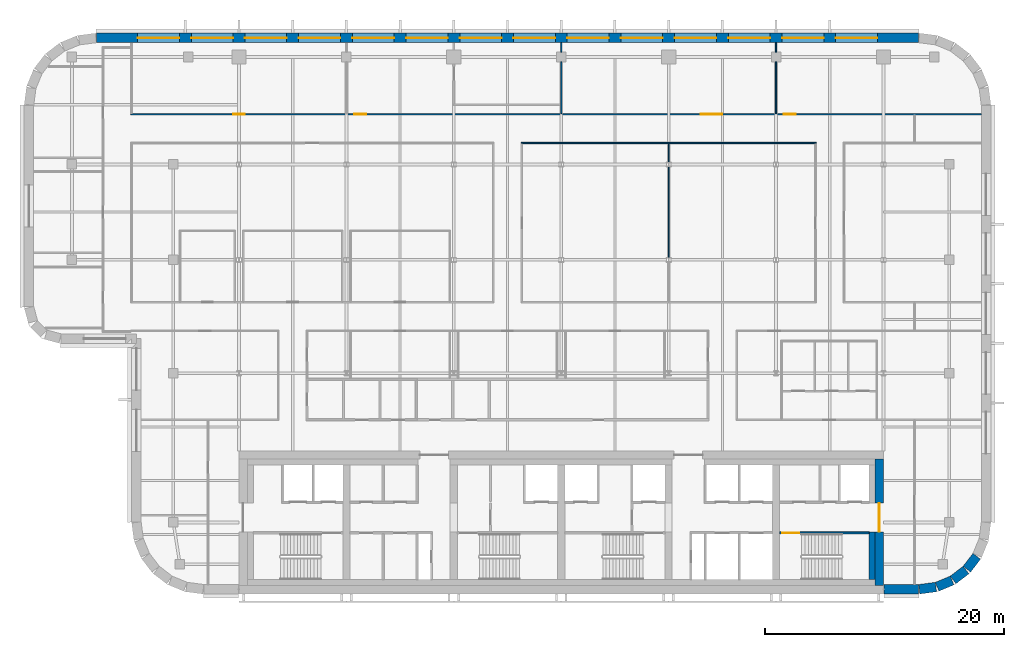
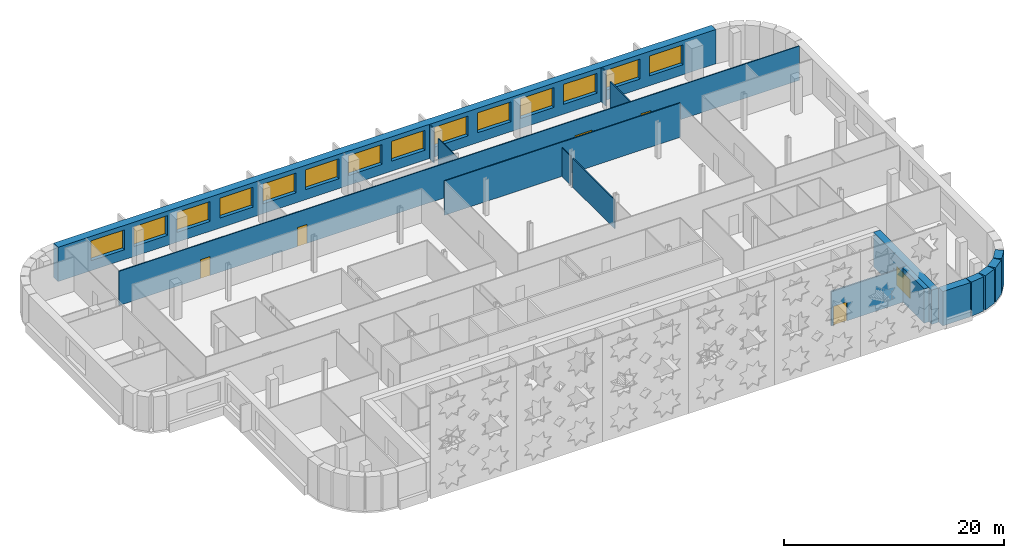
# One storey, part 11 of 18: 17 walls, 14 windows, 6 doors, 20 openings.
"""IFC4 building model written with IfcOpenShell, lengths in metres."""

from ifc_helpers import new_model, si_unit, direction, frame, frame_2d, origin, place, context, subcontext, project, spatial, rectangle, extrude, material, layer, layer_set, type_object, element, fill, save


model = new_model("IFC4")

# Units and contexts
model_context = context("Model", 3, precision=1e-05, world=origin(), true_north=direction((0.0, 1.0)))
body_context = subcontext(model_context, "Body", "Model", "MODEL_VIEW")
ifc_project = project(units=[si_unit("LENGTHUNIT", "METRE"), si_unit("AREAUNIT", "SQUARE_METRE"), si_unit("VOLUMEUNIT", "CUBIC_METRE"), si_unit("PLANEANGLEUNIT", "RADIAN"), si_unit("MASSUNIT", "GRAM", prefix="KILO")], contexts=[model_context])

# Site, building, storey
site_placement = place(None, origin())
site = spatial("IfcSite", under=ifc_project, at=site_placement, CompositionType="ELEMENT")
building_placement = place(site_placement, origin())
building = spatial("IfcBuilding", under=site, at=building_placement, Name="Zellij Exchange Tower", CompositionType="ELEMENT")
storey_placement = place(building_placement, frame((0.0, 0.0, 228.5)))
storey = spatial("IfcBuildingStorey", under=building, at=storey_placement, Name="L53", CompositionType="ELEMENT", Elevation=228.5)

# Wall
ifc_material_1 = material(Name="Concrete C30/37", Category="concrete")
ifc_layer_1 = layer(ifc_material_1, 0.5)
ifc_layer_set_1 = layer_set([ifc_layer_1], Name="Concrete C30/37")
wall_type_1 = type_object("IfcWallType", Name="CORE-LW 500 C30/37", PredefinedType="SHEAR", material=ifc_layer_set_1)
wall_1_placement = place(storey_placement, frame((26.050048828125, -12.800048828125, 0.0), z_axis=(0.0, 0.0, 1.0), x_axis=(0.0, 1.0, 0.0)))
element("IfcWall", 1, at=wall_1_placement, inside=storey, type_object=wall_type_1, Name="Core wall lining end e.0 L53", PredefinedType="SHEAR", context=body_context, shape_type="SweptSolid", body=[
    extrude(rectangle(XDim=4.0, YDim=0.5, at=frame_2d((2.0, 0.0))), origin(), (0.0, 0.0, 1.0), 3.800048828125),
])

# Wall, opening, door
ifc_material_2 = material(Name="Concrete C50/60", Category="concrete")
ifc_layer_2 = layer(ifc_material_2, 0.699951171875)
ifc_layer_set_2 = layer_set([ifc_layer_2], Name="Concrete C50/60")
wall_type_2 = type_object("IfcWallType", Name="CORE-SW 700 C50/60", PredefinedType="SHEAR", material=ifc_layer_set_2)
wall_2_placement = place(storey_placement, frame((26.64990234375, -13.300048828125, 0.0), z_axis=(0.0, 0.0, 1.0), x_axis=(0.0, 1.0, 0.0)))
wall_2 = element("IfcWall", 2, at=wall_2_placement, inside=storey, type_object=wall_type_2, Name="Core shear wall end e L53", PredefinedType="SHEAR", context=body_context, shape_type="SweptSolid", body=[
    extrude(rectangle(XDim=10.60009765625, YDim=0.699951171875, at=frame_2d((5.300048828125, 0.0))), origin(), (0.0, 0.0, 1.0), 3.800048828125),
])
opening_1_placement = place(wall_2_placement, frame((4.511962890625, 0.0, 0.0)))
opening_1 = element("IfcOpeningElement", 3, at=opening_1_placement, cuts=wall_2, Name="Opening CA-28.28", PredefinedType="OPENING", context=body_context, shape_type="SweptSolid", body=[
    extrude(rectangle(XDim=2.39990234375, YDim=2.10009765625, at=frame_2d((1.199951171875, 1.050048828125))), frame((0.0, 0.36181640625, 0.0), z_axis=(0.0, -1.0, 0.0), x_axis=(1.0, 0.0, 0.0)), (0.0, 0.0, 1.0), 0.723876953125),
])
ifc_material_3 = material(Name="Hollow metal fire door")
door_type_1 = type_object("IfcDoorType", Name="CORE-D CE Core entrance door 2400x2100 20 MIN", OperationType="NOTDEFINED", PredefinedType="DOOR", material=ifc_material_3)
door_1_placement = place(opening_1_placement, origin())
door_1 = element("IfcDoor", 4, at=door_1_placement, inside=storey, type_object=door_type_1, Name="Core entrance door CA-28.28", OperationType="DOUBLE_DOOR_SINGLE_SWING", OverallHeight=2.10009765625, OverallWidth=2.39990234375, PredefinedType="DOOR", context=body_context, shape_type="SweptSolid", body=[
    extrude(rectangle(XDim=2.39990234375, YDim=2.10009765625, at=frame_2d((1.199951171875, 1.050048828125))), frame((0.0, 0.02490234375, 0.0), z_axis=(0.0, -1.0, 0.0), x_axis=(1.0, 0.0, 0.0)), (0.0, 0.0, 1.0), 0.050048828125),
])
fill(opening_1, door_1)

ifc_layer_3 = layer(ifc_material_2, 0.14990234375)
ifc_layer_set_3 = layer_set([ifc_layer_3], Name="Concrete C50/60")
wall_type_3 = type_object("IfcWallType", Name="CORE-SWS 150 C50/60", PredefinedType="SHEAR", material=ifc_layer_set_3)
wall_3_placement = place(storey_placement, frame((18.300048828125, -8.875, 0.0), z_axis=(0.0, 0.0, 1.0), x_axis=(1.0, 0.0, 0.0)))
wall_3 = element("IfcWall", 5, at=wall_3_placement, inside=storey, type_object=wall_type_3, Name="Stair enclosure wall L53", PredefinedType="SHEAR", context=body_context, shape_type="SweptSolid", body=[
    extrude(rectangle(XDim=7.5, YDim=0.14990234375, at=frame_2d((3.75, 0.0))), origin(), (0.0, 0.0, 1.0), 3.800048828125),
])
opening_2_placement = place(wall_3_placement, frame((0.22509765625, 0.0, 0.0)))
opening_2 = element("IfcOpeningElement", 6, at=opening_2_placement, cuts=wall_3, Name="Opening CA-28.24", PredefinedType="OPENING", context=body_context, shape_type="SweptSolid", body=[
    extrude(rectangle(XDim=1.39990234375, YDim=2.10009765625, at=frame_2d((0.699951171875, 1.050048828125))), frame((0.0, 0.0869140625, 0.0), z_axis=(0.0, -1.0, 0.0), x_axis=(1.0, 0.0, 0.0)), (0.0, 0.0, 1.0), 0.173828125),
])
door_type_2 = type_object("IfcDoorType", Name="CORE-D SD Stair door 1400x2100 1.5 HR", OperationType="NOTDEFINED", PredefinedType="DOOR", material=ifc_material_3)
door_2_placement = place(opening_2_placement, origin())
door_2 = element("IfcDoor", 7, at=door_2_placement, inside=storey, type_object=door_type_2, Name="Stair door CA-28.24", OperationType="DOUBLE_DOOR_SINGLE_SWING", OverallHeight=2.10009765625, OverallWidth=1.39990234375, PredefinedType="DOOR", context=body_context, shape_type="SweptSolid", body=[
    extrude(rectangle(XDim=1.39990234375, YDim=2.10009765625, at=frame_2d((0.699951171875, 1.050048828125))), frame((0.0, 0.02490234375, 0.0), z_axis=(0.0, -1.0, 0.0), x_axis=(1.0, 0.0, 0.0)), (0.0, 0.0, 1.0), 0.050048828125),
])
fill(opening_2, door_2)

# Walls
ifc_material_4 = material(Name="Precast concrete C40/50", Category="concrete")
ifc_layer_4 = layer(ifc_material_4, 0.800048828125)
ifc_layer_set_4 = layer_set([ifc_layer_4], Name="Precast concrete C40/50")
wall_type_4 = type_object("IfcWallType", Name="ENV-EW1 Precast stone-piered wall 800", PredefinedType="SOLIDWALL", material=ifc_layer_set_4)
wall_4_placement = place(storey_placement, frame((27.050048828125, -13.60009765625, 0.0), z_axis=(0.0, 0.0, 1.0), x_axis=(1.0, 0.0, 0.0)))
element("IfcWall", 8, at=wall_4_placement, inside=storey, type_object=wall_type_4, Name="fac.L53.00b", PredefinedType="SOLIDWALL", context=body_context, shape_type="SweptSolid", body=[
    extrude(rectangle(XDim=2.8974609375, YDim=0.800048828125, at=frame_2d((1.44873046875, 0.0))), origin(), (0.0, 0.0, 1.0), 3.800048828125),
])
wall_5_placement = place(storey_placement, frame((29.999755859375, -13.5966796875, 0.0), z_axis=(0.0, 0.0, 1.0), x_axis=(0.99144603414, 0.130517283865, 0.0)))
element("IfcWall", 9, at=wall_5_placement, inside=storey, type_object=wall_type_4, Name="fac.L53.01", PredefinedType="SOLIDWALL", context=body_context, shape_type="SweptSolid", body=[
    extrude(rectangle(XDim=1.408447265625, YDim=0.800048828125, at=frame_2d((0.7041015625, 0.0))), origin(), (0.0, 0.0, 1.0), 3.800048828125),
])
wall_6_placement = place(storey_placement, frame((31.497314453125, -13.3857421875, 0.0), z_axis=(0.0, 0.0, 1.0), x_axis=(0.923847774587, 0.38276009378, 0.0)))
element("IfcWall", 10, at=wall_6_placement, inside=storey, type_object=wall_type_4, Name="fac.L53.02", PredefinedType="SOLIDWALL", context=body_context, shape_type="SweptSolid", body=[
    extrude(rectangle(XDim=1.35546875, YDim=0.800048828125, at=frame_2d((0.677734375, 0.0))), origin(), (0.0, 0.0, 1.0), 3.800048828125),
])
for number, where, z_axis, x_axis, name in (
    (11, (32.840087890625, -12.814697265625, 0.0), (0.0, 0.0, 1.0), (0.793272915452, 0.608866226366, 0.0), "fac.L53.03"),
    (12, (33.9892578125, -11.91552734375, 0.0), (0.0, 0.0, 1.0), (0.608866226366, 0.793272915452, 0.0), "fac.L53.04"),
):
    element("IfcWall", number, at=place(storey_placement, frame(where, z_axis=z_axis, x_axis=x_axis)), inside=storey, type_object=wall_type_4, Name=name, PredefinedType="SOLIDWALL", context=body_context, shape_type="SweptSolid", body=[
        extrude(rectangle(XDim=1.355712890625, YDim=0.800048828125, at=frame_2d((0.677734375, 0.0))), origin(), (0.0, 0.0, 1.0), 3.800048828125),
    ])

# Wall, openings, windows
wall_7_placement = place(storey_placement, frame((29.947509765625, 32.60009765625, 0.0), z_axis=(0.0, 0.0, 1.0), x_axis=(-1.0, 0.0, 0.0)))
wall_7 = element("IfcWall", 13, at=wall_7_placement, inside=storey, type_object=wall_type_4, Name="fac.L53.14", PredefinedType="SOLIDWALL", context=body_context, shape_type="SweptSolid", body=[
    extrude(rectangle(XDim=68.89501953125, YDim=0.800048828125, at=frame_2d((34.447509765625, 0.0))), origin(), (0.0, 0.0, 1.0), 3.800048828125),
])
opening_3_placement = place(wall_7_placement, frame((3.447509765625, 0.0, 1.10009765625)))
opening_3 = element("IfcOpeningElement", 14, at=opening_3_placement, cuts=wall_7, Name="Opening FZ4.06", PredefinedType="OPENING", context=body_context, shape_type="SweptSolid", body=[
    extrude(rectangle(XDim=3.5, YDim=2.199951171875, at=frame_2d((1.75, 1.10009765625))), frame((0.0, 0.412109375, 0.0), z_axis=(0.0, -1.0, 0.0), x_axis=(1.0, 0.0, 0.0)), (0.0, 0.0, 1.0), 0.823974609375),
])
opening_4_placement = place(wall_7_placement, frame((7.947509765625, 0.0, 1.10009765625)))
opening_4 = element("IfcOpeningElement", 15, at=opening_4_placement, cuts=wall_7, Name="Opening FZ4.07", PredefinedType="OPENING", context=body_context, shape_type="SweptSolid", body=[
    extrude(rectangle(XDim=3.5, YDim=2.199951171875, at=frame_2d((1.75, 1.10009765625))), frame((0.0, 0.412109375, 0.0), z_axis=(0.0, -1.0, 0.0), x_axis=(1.0, 0.0, 0.0)), (0.0, 0.0, 1.0), 0.823974609375),
])
opening_5_placement = place(wall_7_placement, frame((12.447509765625, 0.0, 1.10009765625)))
opening_5 = element("IfcOpeningElement", 16, at=opening_5_placement, cuts=wall_7, Name="Opening FZ4.08", PredefinedType="OPENING", context=body_context, shape_type="SweptSolid", body=[
    extrude(rectangle(XDim=3.5, YDim=2.199951171875, at=frame_2d((1.75, 1.10009765625))), frame((0.0, 0.412109375, 0.0), z_axis=(0.0, -1.0, 0.0), x_axis=(1.0, 0.0, 0.0)), (0.0, 0.0, 1.0), 0.823974609375),
])
opening_6_placement = place(wall_7_placement, frame((16.947509765625, 0.0, 1.10009765625)))
opening_6 = element("IfcOpeningElement", 17, at=opening_6_placement, cuts=wall_7, Name="Opening FZ4.09", PredefinedType="OPENING", context=body_context, shape_type="SweptSolid", body=[
    extrude(rectangle(XDim=3.5, YDim=2.199951171875, at=frame_2d((1.75, 1.10009765625))), frame((0.0, 0.412109375, 0.0), z_axis=(0.0, -1.0, 0.0), x_axis=(1.0, 0.0, 0.0)), (0.0, 0.0, 1.0), 0.823974609375),
])
opening_7_placement = place(wall_7_placement, frame((21.447509765625, 0.0, 1.10009765625)))
opening_7 = element("IfcOpeningElement", 18, at=opening_7_placement, cuts=wall_7, Name="Opening FZ4.10", PredefinedType="OPENING", context=body_context, shape_type="SweptSolid", body=[
    extrude(rectangle(XDim=3.5, YDim=2.199951171875, at=frame_2d((1.75, 1.10009765625))), frame((0.0, 0.412109375, 0.0), z_axis=(0.0, -1.0, 0.0), x_axis=(1.0, 0.0, 0.0)), (0.0, 0.0, 1.0), 0.823974609375),
])
opening_8_placement = place(wall_7_placement, frame((25.947509765625, 0.0, 1.10009765625)))
opening_8 = element("IfcOpeningElement", 19, at=opening_8_placement, cuts=wall_7, Name="Opening FZ4.11", PredefinedType="OPENING", context=body_context, shape_type="SweptSolid", body=[
    extrude(rectangle(XDim=3.5, YDim=2.199951171875, at=frame_2d((1.75, 1.10009765625))), frame((0.0, 0.412109375, 0.0), z_axis=(0.0, -1.0, 0.0), x_axis=(1.0, 0.0, 0.0)), (0.0, 0.0, 1.0), 0.823974609375),
])
opening_9_placement = place(wall_7_placement, frame((30.447509765625, 0.0, 1.10009765625)))
opening_9 = element("IfcOpeningElement", 20, at=opening_9_placement, cuts=wall_7, Name="Opening FZ4.12", PredefinedType="OPENING", context=body_context, shape_type="SweptSolid", body=[
    extrude(rectangle(XDim=3.5, YDim=2.199951171875, at=frame_2d((1.75, 1.10009765625))), frame((0.0, 0.412109375, 0.0), z_axis=(0.0, -1.0, 0.0), x_axis=(1.0, 0.0, 0.0)), (0.0, 0.0, 1.0), 0.823974609375),
])
opening_10_placement = place(wall_7_placement, frame((34.947509765625, 0.0, 1.10009765625)))
opening_10 = element("IfcOpeningElement", 21, at=opening_10_placement, cuts=wall_7, Name="Opening FZ4.13", PredefinedType="OPENING", context=body_context, shape_type="SweptSolid", body=[
    extrude(rectangle(XDim=3.5, YDim=2.199951171875, at=frame_2d((1.75, 1.10009765625))), frame((0.0, 0.412109375, 0.0), z_axis=(0.0, -1.0, 0.0), x_axis=(1.0, 0.0, 0.0)), (0.0, 0.0, 1.0), 0.823974609375),
])
opening_11_placement = place(wall_7_placement, frame((39.447509765625, 0.0, 1.10009765625)))
opening_11 = element("IfcOpeningElement", 22, at=opening_11_placement, cuts=wall_7, Name="Opening FZ4.14", PredefinedType="OPENING", context=body_context, shape_type="SweptSolid", body=[
    extrude(rectangle(XDim=3.5, YDim=2.199951171875, at=frame_2d((1.75, 1.10009765625))), frame((0.0, 0.412109375, 0.0), z_axis=(0.0, -1.0, 0.0), x_axis=(1.0, 0.0, 0.0)), (0.0, 0.0, 1.0), 0.823974609375),
])
opening_12_placement = place(wall_7_placement, frame((43.947509765625, 0.0, 1.10009765625)))
opening_12 = element("IfcOpeningElement", 23, at=opening_12_placement, cuts=wall_7, Name="Opening FZ4.15", PredefinedType="OPENING", context=body_context, shape_type="SweptSolid", body=[
    extrude(rectangle(XDim=3.5, YDim=2.199951171875, at=frame_2d((1.75, 1.10009765625))), frame((0.0, 0.412109375, 0.0), z_axis=(0.0, -1.0, 0.0), x_axis=(1.0, 0.0, 0.0)), (0.0, 0.0, 1.0), 0.823974609375),
])
opening_13_placement = place(wall_7_placement, frame((48.447509765625, 0.0, 1.10009765625)))
opening_13 = element("IfcOpeningElement", 24, at=opening_13_placement, cuts=wall_7, Name="Opening FZ4.16", PredefinedType="OPENING", context=body_context, shape_type="SweptSolid", body=[
    extrude(rectangle(XDim=3.5, YDim=2.199951171875, at=frame_2d((1.75, 1.10009765625))), frame((0.0, 0.412109375, 0.0), z_axis=(0.0, -1.0, 0.0), x_axis=(1.0, 0.0, 0.0)), (0.0, 0.0, 1.0), 0.823974609375),
])
opening_14_placement = place(wall_7_placement, frame((52.947509765625, 0.0, 1.10009765625)))
opening_14 = element("IfcOpeningElement", 25, at=opening_14_placement, cuts=wall_7, Name="Opening FZ4.17", PredefinedType="OPENING", context=body_context, shape_type="SweptSolid", body=[
    extrude(rectangle(XDim=3.5, YDim=2.199951171875, at=frame_2d((1.75, 1.10009765625))), frame((0.0, 0.412109375, 0.0), z_axis=(0.0, -1.0, 0.0), x_axis=(1.0, 0.0, 0.0)), (0.0, 0.0, 1.0), 0.823974609375),
])
opening_15_placement = place(wall_7_placement, frame((57.447509765625, 0.0, 1.10009765625)))
opening_15 = element("IfcOpeningElement", 26, at=opening_15_placement, cuts=wall_7, Name="Opening FZ4.18", PredefinedType="OPENING", context=body_context, shape_type="SweptSolid", body=[
    extrude(rectangle(XDim=3.5, YDim=2.199951171875, at=frame_2d((1.75, 1.10009765625))), frame((0.0, 0.412109375, 0.0), z_axis=(0.0, -1.0, 0.0), x_axis=(1.0, 0.0, 0.0)), (0.0, 0.0, 1.0), 0.823974609375),
])
opening_16_placement = place(wall_7_placement, frame((61.947509765625, 0.0, 1.10009765625)))
opening_16 = element("IfcOpeningElement", 27, at=opening_16_placement, cuts=wall_7, Name="Opening FZ4.19", PredefinedType="OPENING", context=body_context, shape_type="SweptSolid", body=[
    extrude(rectangle(XDim=3.5, YDim=2.199951171875, at=frame_2d((1.75, 1.10009765625))), frame((0.0, 0.412109375, 0.0), z_axis=(0.0, -1.0, 0.0), x_axis=(1.0, 0.0, 0.0)), (0.0, 0.0, 1.0), 0.823974609375),
])
ifc_material_5 = material(Name="Aluminium frame with insulating glass", Category="aluminium")
window_type = type_object("IfcWindowType", Name="ENV-W7 Window 3500x2200", PartitioningType="SINGLE_PANEL", PredefinedType="WINDOW", material=ifc_material_5)
window_1_placement = place(opening_3_placement, origin())
window_1 = element("IfcWindow", 28, at=window_1_placement, inside=storey, type_object=window_type, Name="Window FZ4.06", OverallHeight=2.199951171875, OverallWidth=3.5, PartitioningType="SINGLE_PANEL", PredefinedType="WINDOW", context=body_context, shape_type="SweptSolid", body=[
    extrude(rectangle(XDim=3.5, YDim=2.199951171875, at=frame_2d((1.75, 1.10009765625))), frame((0.0, 0.030029296875, 0.0), z_axis=(0.0, -1.0, 0.0), x_axis=(1.0, 0.0, 0.0)), (0.0, 0.0, 1.0), 0.06005859375),
])
fill(opening_3, window_1)
window_2_placement = place(opening_4_placement, origin())
window_2 = element("IfcWindow", 29, at=window_2_placement, inside=storey, type_object=window_type, Name="Window FZ4.07", OverallHeight=2.199951171875, OverallWidth=3.5, PartitioningType="SINGLE_PANEL", PredefinedType="WINDOW", context=body_context, shape_type="SweptSolid", body=[
    extrude(rectangle(XDim=3.5, YDim=2.199951171875, at=frame_2d((1.75, 1.10009765625))), frame((0.0, 0.030029296875, 0.0), z_axis=(0.0, -1.0, 0.0), x_axis=(1.0, 0.0, 0.0)), (0.0, 0.0, 1.0), 0.06005859375),
])
fill(opening_4, window_2)
window_3_placement = place(opening_5_placement, origin())
window_3 = element("IfcWindow", 30, at=window_3_placement, inside=storey, type_object=window_type, Name="Window FZ4.08", OverallHeight=2.199951171875, OverallWidth=3.5, PartitioningType="SINGLE_PANEL", PredefinedType="WINDOW", context=body_context, shape_type="SweptSolid", body=[
    extrude(rectangle(XDim=3.5, YDim=2.199951171875, at=frame_2d((1.75, 1.10009765625))), frame((0.0, 0.030029296875, 0.0), z_axis=(0.0, -1.0, 0.0), x_axis=(1.0, 0.0, 0.0)), (0.0, 0.0, 1.0), 0.06005859375),
])
fill(opening_5, window_3)
window_4_placement = place(opening_6_placement, origin())
window_4 = element("IfcWindow", 31, at=window_4_placement, inside=storey, type_object=window_type, Name="Window FZ4.09", OverallHeight=2.199951171875, OverallWidth=3.5, PartitioningType="SINGLE_PANEL", PredefinedType="WINDOW", context=body_context, shape_type="SweptSolid", body=[
    extrude(rectangle(XDim=3.5, YDim=2.199951171875, at=frame_2d((1.75, 1.10009765625))), frame((0.0, 0.030029296875, 0.0), z_axis=(0.0, -1.0, 0.0), x_axis=(1.0, 0.0, 0.0)), (0.0, 0.0, 1.0), 0.06005859375),
])
fill(opening_6, window_4)
window_5_placement = place(opening_7_placement, origin())
window_5 = element("IfcWindow", 32, at=window_5_placement, inside=storey, type_object=window_type, Name="Window FZ4.10", OverallHeight=2.199951171875, OverallWidth=3.5, PartitioningType="SINGLE_PANEL", PredefinedType="WINDOW", context=body_context, shape_type="SweptSolid", body=[
    extrude(rectangle(XDim=3.5, YDim=2.199951171875, at=frame_2d((1.75, 1.10009765625))), frame((0.0, 0.030029296875, 0.0), z_axis=(0.0, -1.0, 0.0), x_axis=(1.0, 0.0, 0.0)), (0.0, 0.0, 1.0), 0.06005859375),
])
fill(opening_7, window_5)
window_6_placement = place(opening_8_placement, origin())
window_6 = element("IfcWindow", 33, at=window_6_placement, inside=storey, type_object=window_type, Name="Window FZ4.11", OverallHeight=2.199951171875, OverallWidth=3.5, PartitioningType="SINGLE_PANEL", PredefinedType="WINDOW", context=body_context, shape_type="SweptSolid", body=[
    extrude(rectangle(XDim=3.5, YDim=2.199951171875, at=frame_2d((1.75, 1.10009765625))), frame((0.0, 0.030029296875, 0.0), z_axis=(0.0, -1.0, 0.0), x_axis=(1.0, 0.0, 0.0)), (0.0, 0.0, 1.0), 0.06005859375),
])
fill(opening_8, window_6)
window_7_placement = place(opening_9_placement, origin())
window_7 = element("IfcWindow", 34, at=window_7_placement, inside=storey, type_object=window_type, Name="Window FZ4.12", OverallHeight=2.199951171875, OverallWidth=3.5, PartitioningType="SINGLE_PANEL", PredefinedType="WINDOW", context=body_context, shape_type="SweptSolid", body=[
    extrude(rectangle(XDim=3.5, YDim=2.199951171875, at=frame_2d((1.75, 1.10009765625))), frame((0.0, 0.030029296875, 0.0), z_axis=(0.0, -1.0, 0.0), x_axis=(1.0, 0.0, 0.0)), (0.0, 0.0, 1.0), 0.06005859375),
])
fill(opening_9, window_7)
window_8_placement = place(opening_10_placement, origin())
window_8 = element("IfcWindow", 35, at=window_8_placement, inside=storey, type_object=window_type, Name="Window FZ4.13", OverallHeight=2.199951171875, OverallWidth=3.5, PartitioningType="SINGLE_PANEL", PredefinedType="WINDOW", context=body_context, shape_type="SweptSolid", body=[
    extrude(rectangle(XDim=3.5, YDim=2.199951171875, at=frame_2d((1.75, 1.10009765625))), frame((0.0, 0.030029296875, 0.0), z_axis=(0.0, -1.0, 0.0), x_axis=(1.0, 0.0, 0.0)), (0.0, 0.0, 1.0), 0.06005859375),
])
fill(opening_10, window_8)
window_9_placement = place(opening_11_placement, origin())
window_9 = element("IfcWindow", 36, at=window_9_placement, inside=storey, type_object=window_type, Name="Window FZ4.14", OverallHeight=2.199951171875, OverallWidth=3.5, PartitioningType="SINGLE_PANEL", PredefinedType="WINDOW", context=body_context, shape_type="SweptSolid", body=[
    extrude(rectangle(XDim=3.5, YDim=2.199951171875, at=frame_2d((1.75, 1.10009765625))), frame((0.0, 0.030029296875, 0.0), z_axis=(0.0, -1.0, 0.0), x_axis=(1.0, 0.0, 0.0)), (0.0, 0.0, 1.0), 0.06005859375),
])
fill(opening_11, window_9)
window_10_placement = place(opening_12_placement, origin())
window_10 = element("IfcWindow", 37, at=window_10_placement, inside=storey, type_object=window_type, Name="Window FZ4.15", OverallHeight=2.199951171875, OverallWidth=3.5, PartitioningType="SINGLE_PANEL", PredefinedType="WINDOW", context=body_context, shape_type="SweptSolid", body=[
    extrude(rectangle(XDim=3.5, YDim=2.199951171875, at=frame_2d((1.75, 1.10009765625))), frame((0.0, 0.030029296875, 0.0), z_axis=(0.0, -1.0, 0.0), x_axis=(1.0, 0.0, 0.0)), (0.0, 0.0, 1.0), 0.06005859375),
])
fill(opening_12, window_10)
window_11_placement = place(opening_13_placement, origin())
window_11 = element("IfcWindow", 38, at=window_11_placement, inside=storey, type_object=window_type, Name="Window FZ4.16", OverallHeight=2.199951171875, OverallWidth=3.5, PartitioningType="SINGLE_PANEL", PredefinedType="WINDOW", context=body_context, shape_type="SweptSolid", body=[
    extrude(rectangle(XDim=3.5, YDim=2.199951171875, at=frame_2d((1.75, 1.10009765625))), frame((0.0, 0.030029296875, 0.0), z_axis=(0.0, -1.0, 0.0), x_axis=(1.0, 0.0, 0.0)), (0.0, 0.0, 1.0), 0.06005859375),
])
fill(opening_13, window_11)
window_12_placement = place(opening_14_placement, origin())
window_12 = element("IfcWindow", 39, at=window_12_placement, inside=storey, type_object=window_type, Name="Window FZ4.17", OverallHeight=2.199951171875, OverallWidth=3.5, PartitioningType="SINGLE_PANEL", PredefinedType="WINDOW", context=body_context, shape_type="SweptSolid", body=[
    extrude(rectangle(XDim=3.5, YDim=2.199951171875, at=frame_2d((1.75, 1.10009765625))), frame((0.0, 0.030029296875, 0.0), z_axis=(0.0, -1.0, 0.0), x_axis=(1.0, 0.0, 0.0)), (0.0, 0.0, 1.0), 0.06005859375),
])
fill(opening_14, window_12)
window_13_placement = place(opening_15_placement, origin())
window_13 = element("IfcWindow", 40, at=window_13_placement, inside=storey, type_object=window_type, Name="Window FZ4.18", OverallHeight=2.199951171875, OverallWidth=3.5, PartitioningType="SINGLE_PANEL", PredefinedType="WINDOW", context=body_context, shape_type="SweptSolid", body=[
    extrude(rectangle(XDim=3.5, YDim=2.199951171875, at=frame_2d((1.75, 1.10009765625))), frame((0.0, 0.030029296875, 0.0), z_axis=(0.0, -1.0, 0.0), x_axis=(1.0, 0.0, 0.0)), (0.0, 0.0, 1.0), 0.06005859375),
])
fill(opening_15, window_13)
window_14_placement = place(opening_16_placement, origin())
window_14 = element("IfcWindow", 41, at=window_14_placement, inside=storey, type_object=window_type, Name="Window FZ4.19", OverallHeight=2.199951171875, OverallWidth=3.5, PartitioningType="SINGLE_PANEL", PredefinedType="WINDOW", context=body_context, shape_type="SweptSolid", body=[
    extrude(rectangle(XDim=3.5, YDim=2.199951171875, at=frame_2d((1.75, 1.10009765625))), frame((0.0, 0.030029296875, 0.0), z_axis=(0.0, -1.0, 0.0), x_axis=(1.0, 0.0, 0.0)), (0.0, 0.0, 1.0), 0.06005859375),
])
fill(opening_16, window_14)

# Walls
ifc_material_6 = material(Name="Gypsum board partition on steel studs", Category="steel")
ifc_layer_5 = layer(ifc_material_6, 0.10009765625)
ifc_layer_set_5 = layer_set([ifc_layer_5], Name="Gypsum board partition on steel studs")
wall_type_5 = type_object("IfcWallType", Name="FIT-PARTITION-100", PredefinedType="PARTITIONING", material=ifc_layer_set_5)
wall_8_placement = place(storey_placement, frame((9.0, 14.193115234375, 0.0), z_axis=(0.0, 0.0, 1.0), x_axis=(0.0, 1.0, 0.0)))
element("IfcWall", 42, at=wall_8_placement, inside=storey, type_object=wall_type_5, Name="FIT-PARTITION-100 052", PredefinedType="PARTITIONING", context=body_context, shape_type="SweptSolid", body=[
    extrude(rectangle(XDim=7.61376953125, YDim=0.10009765625, at=frame_2d((3.806884765625, 0.0))), origin(), (0.0, 0.0, 1.0), 3.19287109375),
])
wall_9_placement = place(storey_placement, frame((9.0, 22.193115234375, 0.0), z_axis=(0.0, 0.0, 1.0), x_axis=(0.0, 1.0, 0.0)))
element("IfcWall", 43, at=wall_9_placement, inside=storey, type_object=wall_type_5, Name="FIT-PARTITION-100 053", PredefinedType="PARTITIONING", context=body_context, shape_type="SweptSolid", body=[
    extrude(rectangle(XDim=1.556884765625, YDim=0.10009765625, at=frame_2d((0.7783203125, 0.0))), origin(), (0.0, 0.0, 1.0), 3.19287109375),
])
wall_10_placement = place(storey_placement, frame((-3.35009765625, 23.800048828125, 0.0), z_axis=(0.0, 0.0, 1.0), x_axis=(1.0, 0.0, 0.0)))
element("IfcWall", 44, at=wall_10_placement, inside=storey, type_object=wall_type_5, Name="FIT-PARTITION-100 065", PredefinedType="PARTITIONING", context=body_context, shape_type="SweptSolid", body=[
    extrude(rectangle(XDim=24.7001953125, YDim=0.10009765625, at=frame_2d((12.35009765625, 0.0))), origin(), (0.0, 0.0, 1.0), 3.800048828125),
])

# Wall, openings, doors
wall_11_placement = place(storey_placement, frame((-36.050048828125, 26.199951171875, 0.0), z_axis=(0.0, 0.0, 1.0), x_axis=(1.0, 0.0, 0.0)))
wall_11 = element("IfcWall", 45, at=wall_11_placement, inside=storey, type_object=wall_type_5, Name="FIT-PARTITION-100 068", PredefinedType="PARTITIONING", context=body_context, shape_type="SweptSolid", body=[
    extrude(rectangle(XDim=71.25, YDim=0.10009765625, at=frame_2d((35.625, 0.0))), origin(), (0.0, 0.0, 1.0), 3.800048828125),
])
opening_17_placement = place(wall_11_placement, frame((8.550048828125, 0.0, 0.0)))
opening_17 = element("IfcOpeningElement", 46, at=opening_17_placement, cuts=wall_11, Name="Opening O4B.29", PredefinedType="OPENING", context=body_context, shape_type="SweptSolid", body=[
    extrude(rectangle(XDim=1.0, YDim=2.10009765625, at=frame_2d((0.5, 1.050048828125))), frame((0.0, 0.06201171875, 0.0), z_axis=(0.0, -1.0, 0.0), x_axis=(1.0, 0.0, 0.0)), (0.0, 0.0, 1.0), 0.1240234375),
])
opening_18_placement = place(wall_11_placement, frame((18.699951171875, 0.0, 0.0)))
opening_18 = element("IfcOpeningElement", 47, at=opening_18_placement, cuts=wall_11, Name="Opening O4B.30", PredefinedType="OPENING", context=body_context, shape_type="SweptSolid", body=[
    extrude(rectangle(XDim=1.0, YDim=2.10009765625, at=frame_2d((0.5, 1.050048828125))), frame((0.0, 0.06201171875, 0.0), z_axis=(0.0, -1.0, 0.0), x_axis=(1.0, 0.0, 0.0)), (0.0, 0.0, 1.0), 0.1240234375),
])
opening_19_placement = place(wall_11_placement, frame((47.75, 0.0, 0.0)))
opening_19 = element("IfcOpeningElement", 48, at=opening_19_placement, cuts=wall_11, Name="Opening O4B.31", PredefinedType="OPENING", context=body_context, shape_type="SweptSolid", body=[
    extrude(rectangle(XDim=1.800048828125, YDim=2.10009765625, at=frame_2d((0.89990234375, 1.050048828125))), frame((0.0, 0.06201171875, 0.0), z_axis=(0.0, -1.0, 0.0), x_axis=(1.0, 0.0, 0.0)), (0.0, 0.0, 1.0), 0.1240234375),
])
opening_20_placement = place(wall_11_placement, frame((54.699951171875, 0.0, 0.0)))
opening_20 = element("IfcOpeningElement", 49, at=opening_20_placement, cuts=wall_11, Name="Opening O4B.32", PredefinedType="OPENING", context=body_context, shape_type="SweptSolid", body=[
    extrude(rectangle(XDim=1.0, YDim=2.10009765625, at=frame_2d((0.5, 1.050048828125))), frame((0.0, 0.06201171875, 0.0), z_axis=(0.0, -1.0, 0.0), x_axis=(1.0, 0.0, 0.0)), (0.0, 0.0, 1.0), 0.1240234375),
])
ifc_material_7 = material(Name="Timber door set", Category="wood")
door_type_3 = type_object("IfcDoorType", Name="FIT-D2-WIDE-1000X2100", OperationType="SINGLE_SWING_LEFT", PredefinedType="DOOR", material=ifc_material_7)
door_3_placement = place(opening_17_placement, origin())
door_3 = element("IfcDoor", 50, at=door_3_placement, inside=storey, type_object=door_type_3, Name="Door O4B.29", OperationType="SINGLE_SWING_RIGHT", OverallHeight=2.10009765625, OverallWidth=1.0, PredefinedType="DOOR", context=body_context, shape_type="SweptSolid", body=[
    extrude(rectangle(XDim=1.0, YDim=2.10009765625, at=frame_2d((0.5, 1.050048828125))), frame((0.0, 0.02490234375, 0.0), z_axis=(0.0, -1.0, 0.0), x_axis=(1.0, 0.0, 0.0)), (0.0, 0.0, 1.0), 0.050048828125),
])
fill(opening_17, door_3)
door_4_placement = place(opening_18_placement, origin())
door_4 = element("IfcDoor", 51, at=door_4_placement, inside=storey, type_object=door_type_3, Name="Door O4B.30", OperationType="SINGLE_SWING_RIGHT", OverallHeight=2.10009765625, OverallWidth=1.0, PredefinedType="DOOR", context=body_context, shape_type="SweptSolid", body=[
    extrude(rectangle(XDim=1.0, YDim=2.10009765625, at=frame_2d((0.5, 1.050048828125))), frame((0.0, 0.02490234375, 0.0), z_axis=(0.0, -1.0, 0.0), x_axis=(1.0, 0.0, 0.0)), (0.0, 0.0, 1.0), 0.050048828125),
])
fill(opening_18, door_4)
door_5_placement = place(opening_20_placement, origin())
door_5 = element("IfcDoor", 52, at=door_5_placement, inside=storey, type_object=door_type_3, Name="Door O4B.32", OperationType="SINGLE_SWING_RIGHT", OverallHeight=2.10009765625, OverallWidth=1.0, PredefinedType="DOOR", context=body_context, shape_type="SweptSolid", body=[
    extrude(rectangle(XDim=1.0, YDim=2.10009765625, at=frame_2d((0.5, 1.050048828125))), frame((0.0, 0.02490234375, 0.0), z_axis=(0.0, -1.0, 0.0), x_axis=(1.0, 0.0, 0.0)), (0.0, 0.0, 1.0), 0.050048828125),
])
fill(opening_20, door_5)
door_type_4 = type_object("IfcDoorType", Name="FIT-D3-DOUBLE-1800X2100", OperationType="DOUBLE_DOOR_SINGLE_SWING", PredefinedType="DOOR", material=ifc_material_7)
door_6_placement = place(opening_19_placement, origin())
door_6 = element("IfcDoor", 53, at=door_6_placement, inside=storey, type_object=door_type_4, Name="Door O4B.31", OperationType="DOUBLE_DOOR_SINGLE_SWING", OverallHeight=2.10009765625, OverallWidth=1.800048828125, PredefinedType="DOOR", context=body_context, shape_type="SweptSolid", body=[
    extrude(rectangle(XDim=1.800048828125, YDim=2.10009765625, at=frame_2d((0.89990234375, 1.050048828125))), frame((0.0, 0.02490234375, 0.0), z_axis=(0.0, -1.0, 0.0), x_axis=(1.0, 0.0, 0.0)), (0.0, 0.0, 1.0), 0.050048828125),
])
fill(opening_19, door_6)

# Walls
wall_12_placement = place(storey_placement, frame((0.0, 26.25, 0.0), z_axis=(0.0, 0.0, 1.0), x_axis=(0.0, 1.0, 0.0)))
element("IfcWall", 54, at=wall_12_placement, inside=storey, type_object=wall_type_5, Name="FIT-PARTITION-100 072", PredefinedType="PARTITIONING", context=body_context, shape_type="SweptSolid", body=[
    extrude(rectangle(XDim=4.35009765625, YDim=0.10009765625, at=frame_2d((2.175048828125, 0.0))), origin(), (0.0, 0.0, 1.0), 3.19287109375),
])
wall_13_placement = place(storey_placement, frame((0.0, 31.39990234375, 0.0), z_axis=(0.0, 0.0, 1.0), x_axis=(0.0, 1.0, 0.0)))
element("IfcWall", 55, at=wall_13_placement, inside=storey, type_object=wall_type_5, Name="FIT-PARTITION-100 073", PredefinedType="PARTITIONING", context=body_context, shape_type="SweptSolid", body=[
    extrude(rectangle(XDim=0.800048828125, YDim=0.10009765625, at=frame_2d((0.39990234375, 0.0))), origin(), (0.0, 0.0, 1.0), 3.800048828125),
])
wall_14_placement = place(storey_placement, frame((18.0, 26.25, 0.0), z_axis=(0.0, 0.0, 1.0), x_axis=(0.0, 1.0, 0.0)))
element("IfcWall", 56, at=wall_14_placement, inside=storey, type_object=wall_type_5, Name="FIT-PARTITION-100 074", PredefinedType="PARTITIONING", context=body_context, shape_type="SweptSolid", body=[
    extrude(rectangle(XDim=4.35009765625, YDim=0.10009765625, at=frame_2d((2.175048828125, 0.0))), origin(), (0.0, 0.0, 1.0), 3.19287109375),
])
wall_15_placement = place(storey_placement, frame((18.0, 31.39990234375, 0.0), z_axis=(0.0, 0.0, 1.0), x_axis=(0.0, 1.0, 0.0)))
element("IfcWall", 57, at=wall_15_placement, inside=storey, type_object=wall_type_5, Name="FIT-PARTITION-100 075", PredefinedType="PARTITIONING", context=body_context, shape_type="SweptSolid", body=[
    extrude(rectangle(XDim=0.800048828125, YDim=0.10009765625, at=frame_2d((0.39990234375, 0.0))), origin(), (0.0, 0.0, 1.0), 3.800048828125),
])

save(model, "model.ifc")
